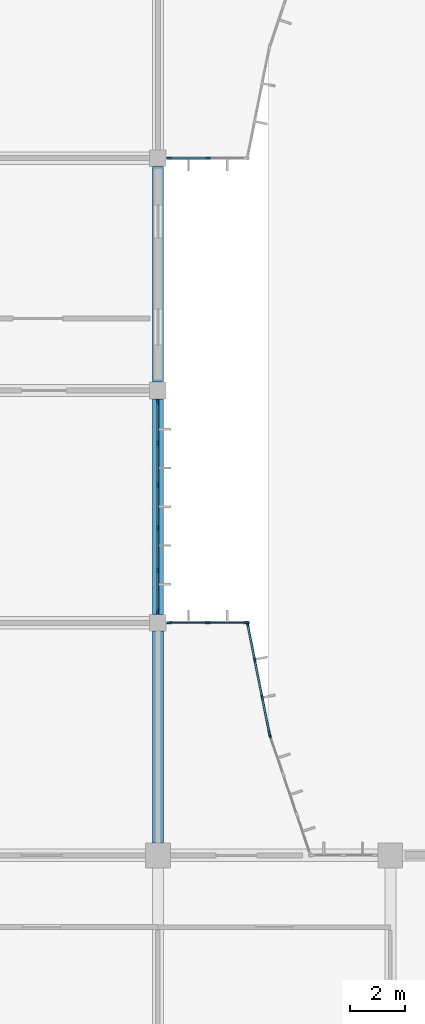
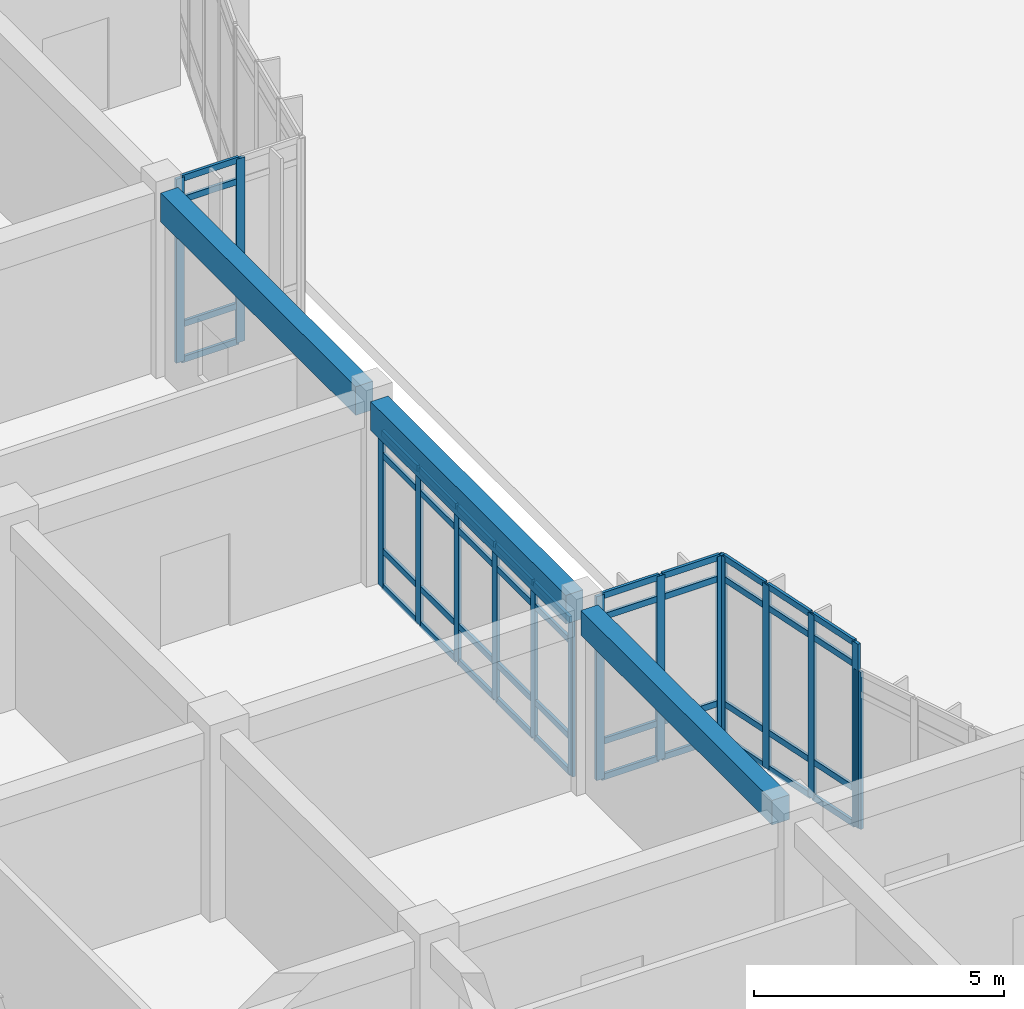
# One storey, part 52 of 138: 60 members, 3 beams, 5 elements without a shape of their own.
"""IFC4 building model written with IfcOpenShell, lengths in metres."""

from ifc_helpers import new_model, si_unit, direction, frame, origin, origin_2d, place, context, subcontext, project, spatial, rectangle, extrude, material, layer, layer_set, material_profile, profile_set, type_object, element, aggregate, save


model = new_model("IFC4")

# Units and contexts
model_context = context("Model", 3, precision=1e-05, world=origin(), true_north=direction((0.0, 1.0)))
body_context = subcontext(model_context, "Body", "Model", "MODEL_VIEW")
ifc_project = project(units=[si_unit("LENGTHUNIT", "METRE"), si_unit("AREAUNIT", "SQUARE_METRE"), si_unit("VOLUMEUNIT", "CUBIC_METRE"), si_unit("PLANEANGLEUNIT", "RADIAN"), si_unit("MASSUNIT", "GRAM", prefix="KILO")], contexts=[model_context])

# Site, building, storey
site_placement = place(None, origin())
site = spatial("IfcSite", under=ifc_project, at=site_placement, CompositionType="ELEMENT")
building_placement = place(site_placement, origin())
building = spatial("IfcBuilding", under=site, at=building_placement, Name="Bramfleet General Hospital", CompositionType="ELEMENT")
storey_placement = place(building_placement, origin())
storey = spatial("IfcBuildingStorey", under=building, at=storey_placement, Name="L00", CompositionType="ELEMENT", Elevation=0.0)

# Beams
ifc_material_1 = material(Name="Concrete C35/45", Category="concrete")
ifc_material_profile_1 = material_profile(ifc_material_1, rectangle(XDim=0.39990234375, YDim=0.60009765625, at=origin_2d()), Name="RC BM 600x400")
ifc_profile_set_1 = profile_set([ifc_material_profile_1], Name="Concrete C35/45")
beam_type_1 = type_object("IfcBeamType", Name="BM-RC600", PredefinedType="BEAM", material=ifc_profile_set_1)
beam_placement = place(storey_placement, frame((126.0, 25.64990234375, 4.199951171875), z_axis=(0.0, 1.0, 0.0), x_axis=(-1.0, 0.0, 0.0)))
element("IfcBeam", 1, at=beam_placement, inside=storey, type_object=beam_type_1, Name="L00 Grid Beam Y 15-03", PredefinedType="BEAM", context=body_context, shape_type="SweptSolid", body=[
    extrude(rectangle(XDim=0.39990234375, YDim=0.60009765625, at=origin_2d()), origin(), (0.0, 0.0, 1.0), 7.650146484375),
])
ifc_material_profile_2 = material_profile(ifc_material_1, rectangle(XDim=0.39990234375, YDim=0.699951171875, at=origin_2d()), Name="RC SP 700x400")
ifc_profile_set_2 = profile_set([ifc_material_profile_2], Name="Concrete C35/45")
beam_type_2 = type_object("IfcBeamType", Name="BM-SP700", PredefinedType="SPANDREL", material=ifc_profile_set_2)
for number, where, z_axis, x_axis, name in (
    (2, (126.0, 33.89990234375, 4.14990234375), (0.0, 1.0, 0.0), (-1.0, 0.0, 0.0), "L00 Grid Beam Y 15-04"),
    (3, (126.0, 42.300048828125, 4.14990234375), (0.0, 1.0, 0.0), (-1.0, 0.0, 0.0), "L00 Grid Beam Y 15-05"),
):
    element("IfcBeam", number, at=place(storey_placement, frame(where, z_axis=z_axis, x_axis=x_axis)), inside=storey, type_object=beam_type_2, Name=name, PredefinedType="SPANDREL", context=body_context, shape_type="SweptSolid", body=[
        extrude(rectangle(XDim=0.39990234375, YDim=0.699951171875, at=origin_2d()), origin(), (0.0, 0.0, 1.0), 7.800048828125),
    ])

# Curtain wall, members
ifc_material_2 = material(Name="Anodised aluminium and low-E triple glazing", Category="aluminium")
ifc_layer_1 = layer(ifc_material_2, 0.179931640625, Name="CWT-CW-03")
ifc_layer_set_1 = layer_set([ifc_layer_1], Name="Anodised aluminium and low-E triple glazing")
curtain_wall_type_1 = type_object("IfcCurtainWallType", Name="CWT-CW-03", PredefinedType="USERDEFINED", material=ifc_layer_set_1)
curtain_wall_1_placement = place(storey_placement, origin())
curtain_wall_1 = element("IfcCurtainWall", 4, at=curtain_wall_1_placement, inside=storey, type_object=curtain_wall_type_1, Name="L00 Curtain Wall 21", ObjectType="Unitised curtain wall", PredefinedType="USERDEFINED")
ifc_material_3 = material(Name="Structural timber GL28h", Category="wood")
ifc_material_profile_3 = material_profile(ifc_material_3, rectangle(XDim=0.070068359375, YDim=0.18994140625, at=origin_2d()), Name="LARCH 190x70")
ifc_profile_set_3 = profile_set([ifc_material_profile_3], Name="Structural timber GL28h")
member_type_1 = type_object("IfcMemberType", Name="CWM-LARCH450", PredefinedType="MULLION", material=ifc_profile_set_3)
member_1_placement = place(storey_placement, frame((127.804931640625, 50.39990234375, 0.0), z_axis=(0.0, 0.0, 1.0), x_axis=(0.0, -1.0, 0.0)))
member_1 = element("IfcMember", 5, at=member_1_placement, type_object=member_type_1, Name="CW-03 mullion 2", PredefinedType="MULLION", context=body_context, shape_type="SweptSolid", body=[
    extrude(rectangle(XDim=0.070068359375, YDim=0.18994140625, at=origin_2d()), origin(), (0.0, 0.0, 1.0), 4.489990234375),
])
member_2_placement = place(storey_placement, frame((126.409912109375, 50.39990234375, 0.0), z_axis=(0.0, 0.0, 1.0), x_axis=(0.0, -1.0, 0.0)))
member_2 = element("IfcMember", 6, at=member_2_placement, type_object=member_type_1, Name="CW-03 mullion 3", PredefinedType="MULLION", context=body_context, shape_type="SweptSolid", body=[
    extrude(rectangle(XDim=0.070068359375, YDim=0.18994140625, at=origin_2d()), origin(), (0.0, 0.0, 1.0), 4.489990234375),
])

ifc_layer_2 = layer(ifc_material_2, 0.179931640625, Name="CWT-CW-04")
ifc_layer_set_2 = layer_set([ifc_layer_2], Name="Anodised aluminium and low-E triple glazing")
curtain_wall_type_2 = type_object("IfcCurtainWallType", Name="CWT-CW-04", PredefinedType="USERDEFINED", material=ifc_layer_set_2)
curtain_wall_2_placement = place(storey_placement, origin())
curtain_wall_2 = element("IfcCurtainWall", 7, at=curtain_wall_2_placement, inside=storey, type_object=curtain_wall_type_2, Name="L00 Curtain Wall 22", ObjectType="Unitised curtain wall", PredefinedType="USERDEFINED")
member_3_placement = place(storey_placement, frame((126.0, 41.590087890625, 0.0), z_axis=(0.0, 0.0, 1.0), x_axis=(1.0, 0.0, 0.0)))
member_3 = element("IfcMember", 8, at=member_3_placement, type_object=member_type_1, Name="CW-04 mullion 1", PredefinedType="MULLION", context=body_context, shape_type="SweptSolid", body=[
    extrude(rectangle(XDim=0.070068359375, YDim=0.18994140625, at=origin_2d()), origin(), (0.0, 0.0, 1.0), 3.7900390625),
])
member_4_placement = place(storey_placement, frame((126.0, 40.094970703125, 0.0), z_axis=(0.0, 0.0, 1.0), x_axis=(1.0, 0.0, 0.0)))
member_4 = element("IfcMember", 9, at=member_4_placement, type_object=member_type_1, Name="CW-04 mullion 2", PredefinedType="MULLION", context=body_context, shape_type="SweptSolid", body=[
    extrude(rectangle(XDim=0.070068359375, YDim=0.18994140625, at=origin_2d()), origin(), (0.0, 0.0, 1.0), 3.7900390625),
])
member_5_placement = place(storey_placement, frame((126.0, 38.56494140625, 0.0), z_axis=(0.0, 0.0, 1.0), x_axis=(1.0, 0.0, 0.0)))
member_5 = element("IfcMember", 10, at=member_5_placement, type_object=member_type_1, Name="CW-04 mullion 3", PredefinedType="MULLION", context=body_context, shape_type="SweptSolid", body=[
    extrude(rectangle(XDim=0.070068359375, YDim=0.18994140625, at=origin_2d()), origin(), (0.0, 0.0, 1.0), 3.7900390625),
])
member_6_placement = place(storey_placement, frame((126.0, 37.034912109375, 0.0), z_axis=(0.0, 0.0, 1.0), x_axis=(1.0, 0.0, 0.0)))
member_6 = element("IfcMember", 11, at=member_6_placement, type_object=member_type_1, Name="CW-04 mullion 4", PredefinedType="MULLION", context=body_context, shape_type="SweptSolid", body=[
    extrude(rectangle(XDim=0.070068359375, YDim=0.18994140625, at=origin_2d()), origin(), (0.0, 0.0, 1.0), 3.7900390625),
])
member_7_placement = place(storey_placement, frame((126.0, 35.5048828125, 0.0), z_axis=(0.0, 0.0, 1.0), x_axis=(1.0, 0.0, 0.0)))
member_7 = element("IfcMember", 12, at=member_7_placement, type_object=member_type_1, Name="CW-04 mullion 5", PredefinedType="MULLION", context=body_context, shape_type="SweptSolid", body=[
    extrude(rectangle(XDim=0.070068359375, YDim=0.18994140625, at=origin_2d()), origin(), (0.0, 0.0, 1.0), 3.7900390625),
])
member_8_placement = place(storey_placement, frame((126.0, 34.010009765625, 0.0), z_axis=(0.0, 0.0, 1.0), x_axis=(1.0, 0.0, 0.0)))
member_8 = element("IfcMember", 13, at=member_8_placement, type_object=member_type_1, Name="CW-04 mullion 6", PredefinedType="MULLION", context=body_context, shape_type="SweptSolid", body=[
    extrude(rectangle(XDim=0.070068359375, YDim=0.18994140625, at=origin_2d()), origin(), (0.0, 0.0, 1.0), 3.7900390625),
])

ifc_layer_3 = layer(ifc_material_2, 0.179931640625, Name="CWT-CW-05")
ifc_layer_set_3 = layer_set([ifc_layer_3], Name="Anodised aluminium and low-E triple glazing")
curtain_wall_type_3 = type_object("IfcCurtainWallType", Name="CWT-CW-05", PredefinedType="USERDEFINED", material=ifc_layer_set_3)
curtain_wall_3_placement = place(storey_placement, origin())
curtain_wall_3 = element("IfcCurtainWall", 14, at=curtain_wall_3_placement, inside=storey, type_object=curtain_wall_type_3, Name="L00 Curtain Wall 23", ObjectType="Unitised curtain wall", PredefinedType="USERDEFINED")
member_9_placement = place(storey_placement, frame((126.409912109375, 33.60009765625, 0.0), z_axis=(0.0, 0.0, 1.0), x_axis=(0.0, 1.0, 0.0)))
member_9 = element("IfcMember", 15, at=member_9_placement, type_object=member_type_1, Name="CW-05 mullion 1", PredefinedType="MULLION", context=body_context, shape_type="SweptSolid", body=[
    extrude(rectangle(XDim=0.070068359375, YDim=0.18994140625, at=origin_2d()), origin(), (0.0, 0.0, 1.0), 4.489990234375),
])
member_10_placement = place(storey_placement, frame((127.804931640625, 33.60009765625, 0.0), z_axis=(0.0, 0.0, 1.0), x_axis=(0.0, 1.0, 0.0)))
member_10 = element("IfcMember", 16, at=member_10_placement, type_object=member_type_1, Name="CW-05 mullion 2", PredefinedType="MULLION", context=body_context, shape_type="SweptSolid", body=[
    extrude(rectangle(XDim=0.070068359375, YDim=0.18994140625, at=origin_2d()), origin(), (0.0, 0.0, 1.0), 4.489990234375),
])
member_11_placement = place(storey_placement, frame((129.199951171875, 33.60009765625, 0.0), z_axis=(0.0, 0.0, 1.0), x_axis=(0.0, 1.0, 0.0)))
member_11 = element("IfcMember", 17, at=member_11_placement, type_object=member_type_1, Name="CW-05 mullion 3", PredefinedType="MULLION", context=body_context, shape_type="SweptSolid", body=[
    extrude(rectangle(XDim=0.070068359375, YDim=0.18994140625, at=origin_2d()), origin(), (0.0, 0.0, 1.0), 4.489990234375),
])

ifc_layer_4 = layer(ifc_material_2, 0.179931640625, Name="CWT-CW-06")
ifc_layer_set_4 = layer_set([ifc_layer_4], Name="Anodised aluminium and low-E triple glazing")
curtain_wall_type_4 = type_object("IfcCurtainWallType", Name="CWT-CW-06", PredefinedType="USERDEFINED", material=ifc_layer_set_4)
curtain_wall_4_placement = place(storey_placement, origin())
curtain_wall_4 = element("IfcCurtainWall", 18, at=curtain_wall_4_placement, inside=storey, type_object=curtain_wall_type_4, Name="L00 Curtain Wall 24", ObjectType="Unitised curtain wall", PredefinedType="USERDEFINED")
member_12_placement = place(storey_placement, frame((129.241943359375, 33.565673828125, 0.0), z_axis=(0.0, 0.0, 1.0), x_axis=(0.980749087161, 0.195272189606, 0.0)))
member_12 = element("IfcMember", 19, at=member_12_placement, type_object=member_type_1, Name="CW-06 mullion 1", PredefinedType="MULLION", context=body_context, shape_type="SweptSolid", body=[
    extrude(rectangle(XDim=0.070068359375, YDim=0.18994140625, at=origin_2d()), origin(), (0.0, 0.0, 1.0), 4.489990234375),
])
member_13_placement = place(storey_placement, frame((129.501953125, 32.259033203125, 0.0), z_axis=(0.0, 0.0, 1.0), x_axis=(0.980749087161, 0.195272189606, 0.0)))
member_13 = element("IfcMember", 20, at=member_13_placement, type_object=member_type_1, Name="CW-06 mullion 2", PredefinedType="MULLION", context=body_context, shape_type="SweptSolid", body=[
    extrude(rectangle(XDim=0.070068359375, YDim=0.18994140625, at=origin_2d()), origin(), (0.0, 0.0, 1.0), 4.489990234375),
])
member_14_placement = place(storey_placement, frame((129.76904296875, 30.91796875, 0.0), z_axis=(0.0, 0.0, 1.0), x_axis=(0.980749087161, 0.195272189606, 0.0)))
member_14 = element("IfcMember", 21, at=member_14_placement, type_object=member_type_1, Name="CW-06 mullion 3", PredefinedType="MULLION", context=body_context, shape_type="SweptSolid", body=[
    extrude(rectangle(XDim=0.070068359375, YDim=0.18994140625, at=origin_2d()), origin(), (0.0, 0.0, 1.0), 4.489990234375),
])
member_15_placement = place(storey_placement, frame((130.029052734375, 29.611328125, 0.0), z_axis=(0.0, 0.0, 1.0), x_axis=(0.980749087161, 0.195272189606, 0.0)))
member_15 = element("IfcMember", 22, at=member_15_placement, type_object=member_type_1, Name="CW-06 mullion 4", PredefinedType="MULLION", context=body_context, shape_type="SweptSolid", body=[
    extrude(rectangle(XDim=0.070068359375, YDim=0.18994140625, at=origin_2d()), origin(), (0.0, 0.0, 1.0), 4.489990234375),
])

# Curtain wall, member
ifc_layer_5 = layer(ifc_material_2, 0.179931640625, Name="CWT-CW-07")
ifc_layer_set_5 = layer_set([ifc_layer_5], Name="Anodised aluminium and low-E triple glazing")
curtain_wall_type_5 = type_object("IfcCurtainWallType", Name="CWT-CW-07", PredefinedType="USERDEFINED", material=ifc_layer_set_5)
curtain_wall_5_placement = place(storey_placement, origin())
curtain_wall_5 = element("IfcCurtainWall", 23, at=curtain_wall_5_placement, inside=storey, type_object=curtain_wall_type_5, Name="L00 Curtain Wall 25", ObjectType="Unitised curtain wall", PredefinedType="USERDEFINED")
member_16_placement = place(storey_placement, frame((130.04736328125, 29.5439453125, 0.0), z_axis=(0.0, 0.0, 1.0), x_axis=(0.94698222676, 0.321285950829, 0.0)))
member_16 = element("IfcMember", 24, at=member_16_placement, type_object=member_type_1, Name="CW-07 mullion 1", PredefinedType="MULLION", context=body_context, shape_type="SweptSolid", body=[
    extrude(rectangle(XDim=0.070068359375, YDim=0.18994140625, at=origin_2d()), origin(), (0.0, 0.0, 1.0), 3.840087890625),
])
aggregate(curtain_wall_5, [member_16])

# Member
ifc_material_profile_4 = material_profile(ifc_material_3, rectangle(XDim=0.06494140625, YDim=0.14990234375, at=origin_2d()), Name="LARCH 150x65")
ifc_profile_set_4 = profile_set([ifc_material_profile_4], Name="Structural timber GL28h")
member_type_2 = type_object("IfcMemberType", Name="CWT-LARCH220", PredefinedType="USERDEFINED", material=ifc_profile_set_4)
member_17_placement = place(storey_placement, frame((127.77001953125, 50.39990234375, 0.032470703125), z_axis=(-1.0, 0.0, 0.0), x_axis=(0.0, -1.0, 0.0)))
member_17 = element("IfcMember", 25, at=member_17_placement, type_object=member_type_2, Name="CW-03 transom 2.1", ObjectType="TRANSOM", PredefinedType="USERDEFINED", context=body_context, shape_type="SweptSolid", body=[
    extrude(rectangle(XDim=0.06494140625, YDim=0.14990234375, at=origin_2d()), origin(), (0.0, 0.0, 1.0), 1.324951171875),
])

member_18_placement = place(storey_placement, frame((127.77001953125, 50.39990234375, 0.89990234375), z_axis=(-1.0, 0.0, 0.0), x_axis=(0.0, -1.0, 0.0)))
member_18 = element("IfcMember", 26, at=member_18_placement, type_object=member_type_2, Name="CW-03 transom 2.2", ObjectType="TRANSOM", PredefinedType="USERDEFINED", context=body_context, shape_type="SweptSolid", body=[
    extrude(rectangle(XDim=0.06494140625, YDim=0.14990234375, at=origin_2d()), origin(), (0.0, 0.0, 1.0), 1.324951171875),
])

member_19_placement = place(storey_placement, frame((127.77001953125, 50.39990234375, 3.93994140625), z_axis=(-1.0, 0.0, 0.0), x_axis=(0.0, -1.0, 0.0)))
member_19 = element("IfcMember", 27, at=member_19_placement, type_object=member_type_2, Name="CW-03 transom 2.3", ObjectType="TRANSOM", PredefinedType="USERDEFINED", context=body_context, shape_type="SweptSolid", body=[
    extrude(rectangle(XDim=0.06494140625, YDim=0.14990234375, at=origin_2d()), origin(), (0.0, 0.0, 1.0), 1.324951171875),
])

member_20_placement = place(storey_placement, frame((127.77001953125, 50.39990234375, 4.45751953125), z_axis=(-1.0, 0.0, 0.0), x_axis=(0.0, -1.0, 0.0)))
member_20 = element("IfcMember", 28, at=member_20_placement, type_object=member_type_2, Name="CW-03 transom 2.4", ObjectType="TRANSOM", PredefinedType="USERDEFINED", context=body_context, shape_type="SweptSolid", body=[
    extrude(rectangle(XDim=0.06494140625, YDim=0.14990234375, at=origin_2d()), origin(), (0.0, 0.0, 1.0), 1.324951171875),
])

aggregate(curtain_wall_1, [member_1, member_2, member_17, member_18, member_19, member_20])

member_21_placement = place(storey_placement, frame((126.0, 41.554931640625, 0.032470703125), z_axis=(0.0, -1.0, 0.0), x_axis=(1.0, 0.0, 0.0)))
member_21 = element("IfcMember", 29, at=member_21_placement, type_object=member_type_2, Name="CW-04 transom 1.1", ObjectType="TRANSOM", PredefinedType="USERDEFINED", context=body_context, shape_type="SweptSolid", body=[
    extrude(rectangle(XDim=0.06494140625, YDim=0.14990234375, at=origin_2d()), origin(), (0.0, 0.0, 1.0), 1.425048828125),
])

member_22_placement = place(storey_placement, frame((126.0, 41.554931640625, 0.89990234375), z_axis=(0.0, -1.0, 0.0), x_axis=(1.0, 0.0, 0.0)))
member_22 = element("IfcMember", 30, at=member_22_placement, type_object=member_type_2, Name="CW-04 transom 1.2", ObjectType="TRANSOM", PredefinedType="USERDEFINED", context=body_context, shape_type="SweptSolid", body=[
    extrude(rectangle(XDim=0.06494140625, YDim=0.14990234375, at=origin_2d()), origin(), (0.0, 0.0, 1.0), 1.425048828125),
])

member_23_placement = place(storey_placement, frame((126.0, 41.554931640625, 3.239990234375), z_axis=(0.0, -1.0, 0.0), x_axis=(1.0, 0.0, 0.0)))
member_23 = element("IfcMember", 31, at=member_23_placement, type_object=member_type_2, Name="CW-04 transom 1.3", ObjectType="TRANSOM", PredefinedType="USERDEFINED", context=body_context, shape_type="SweptSolid", body=[
    extrude(rectangle(XDim=0.06494140625, YDim=0.14990234375, at=origin_2d()), origin(), (0.0, 0.0, 1.0), 1.425048828125),
])

member_24_placement = place(storey_placement, frame((126.0, 41.554931640625, 3.757568359375), z_axis=(0.0, -1.0, 0.0), x_axis=(1.0, 0.0, 0.0)))
member_24 = element("IfcMember", 32, at=member_24_placement, type_object=member_type_2, Name="CW-04 transom 1.4", ObjectType="TRANSOM", PredefinedType="USERDEFINED", context=body_context, shape_type="SweptSolid", body=[
    extrude(rectangle(XDim=0.06494140625, YDim=0.14990234375, at=origin_2d()), origin(), (0.0, 0.0, 1.0), 1.425048828125),
])

member_25_placement = place(storey_placement, frame((126.0, 40.06005859375, 0.032470703125), z_axis=(0.0, -1.0, 0.0), x_axis=(1.0, 0.0, 0.0)))
member_25 = element("IfcMember", 33, at=member_25_placement, type_object=member_type_2, Name="CW-04 transom 2.1", ObjectType="TRANSOM", PredefinedType="USERDEFINED", context=body_context, shape_type="SweptSolid", body=[
    extrude(rectangle(XDim=0.06494140625, YDim=0.14990234375, at=origin_2d()), origin(), (0.0, 0.0, 1.0), 1.4599609375),
])

member_26_placement = place(storey_placement, frame((126.0, 40.06005859375, 0.89990234375), z_axis=(0.0, -1.0, 0.0), x_axis=(1.0, 0.0, 0.0)))
member_26 = element("IfcMember", 34, at=member_26_placement, type_object=member_type_2, Name="CW-04 transom 2.2", ObjectType="TRANSOM", PredefinedType="USERDEFINED", context=body_context, shape_type="SweptSolid", body=[
    extrude(rectangle(XDim=0.06494140625, YDim=0.14990234375, at=origin_2d()), origin(), (0.0, 0.0, 1.0), 1.4599609375),
])

member_27_placement = place(storey_placement, frame((126.0, 40.06005859375, 3.239990234375), z_axis=(0.0, -1.0, 0.0), x_axis=(1.0, 0.0, 0.0)))
member_27 = element("IfcMember", 35, at=member_27_placement, type_object=member_type_2, Name="CW-04 transom 2.3", ObjectType="TRANSOM", PredefinedType="USERDEFINED", context=body_context, shape_type="SweptSolid", body=[
    extrude(rectangle(XDim=0.06494140625, YDim=0.14990234375, at=origin_2d()), origin(), (0.0, 0.0, 1.0), 1.4599609375),
])

member_28_placement = place(storey_placement, frame((126.0, 40.06005859375, 3.757568359375), z_axis=(0.0, -1.0, 0.0), x_axis=(1.0, 0.0, 0.0)))
member_28 = element("IfcMember", 36, at=member_28_placement, type_object=member_type_2, Name="CW-04 transom 2.4", ObjectType="TRANSOM", PredefinedType="USERDEFINED", context=body_context, shape_type="SweptSolid", body=[
    extrude(rectangle(XDim=0.06494140625, YDim=0.14990234375, at=origin_2d()), origin(), (0.0, 0.0, 1.0), 1.4599609375),
])

member_29_placement = place(storey_placement, frame((126.0, 38.530029296875, 0.032470703125), z_axis=(0.0, -1.0, 0.0), x_axis=(1.0, 0.0, 0.0)))
member_29 = element("IfcMember", 37, at=member_29_placement, type_object=member_type_2, Name="CW-04 transom 3.1", ObjectType="TRANSOM", PredefinedType="USERDEFINED", context=body_context, shape_type="SweptSolid", body=[
    extrude(rectangle(XDim=0.06494140625, YDim=0.14990234375, at=origin_2d()), origin(), (0.0, 0.0, 1.0), 1.4599609375),
])

member_30_placement = place(storey_placement, frame((126.0, 38.530029296875, 0.89990234375), z_axis=(0.0, -1.0, 0.0), x_axis=(1.0, 0.0, 0.0)))
member_30 = element("IfcMember", 38, at=member_30_placement, type_object=member_type_2, Name="CW-04 transom 3.2", ObjectType="TRANSOM", PredefinedType="USERDEFINED", context=body_context, shape_type="SweptSolid", body=[
    extrude(rectangle(XDim=0.06494140625, YDim=0.14990234375, at=origin_2d()), origin(), (0.0, 0.0, 1.0), 1.4599609375),
])

member_31_placement = place(storey_placement, frame((126.0, 38.530029296875, 3.239990234375), z_axis=(0.0, -1.0, 0.0), x_axis=(1.0, 0.0, 0.0)))
member_31 = element("IfcMember", 39, at=member_31_placement, type_object=member_type_2, Name="CW-04 transom 3.3", ObjectType="TRANSOM", PredefinedType="USERDEFINED", context=body_context, shape_type="SweptSolid", body=[
    extrude(rectangle(XDim=0.06494140625, YDim=0.14990234375, at=origin_2d()), origin(), (0.0, 0.0, 1.0), 1.4599609375),
])

member_32_placement = place(storey_placement, frame((126.0, 38.530029296875, 3.757568359375), z_axis=(0.0, -1.0, 0.0), x_axis=(1.0, 0.0, 0.0)))
member_32 = element("IfcMember", 40, at=member_32_placement, type_object=member_type_2, Name="CW-04 transom 3.4", ObjectType="TRANSOM", PredefinedType="USERDEFINED", context=body_context, shape_type="SweptSolid", body=[
    extrude(rectangle(XDim=0.06494140625, YDim=0.14990234375, at=origin_2d()), origin(), (0.0, 0.0, 1.0), 1.4599609375),
])

member_33_placement = place(storey_placement, frame((126.0, 37.0, 0.032470703125), z_axis=(0.0, -1.0, 0.0), x_axis=(1.0, 0.0, 0.0)))
member_33 = element("IfcMember", 41, at=member_33_placement, type_object=member_type_2, Name="CW-04 transom 4.1", ObjectType="TRANSOM", PredefinedType="USERDEFINED", context=body_context, shape_type="SweptSolid", body=[
    extrude(rectangle(XDim=0.06494140625, YDim=0.14990234375, at=origin_2d()), origin(), (0.0, 0.0, 1.0), 1.4599609375),
])

member_34_placement = place(storey_placement, frame((126.0, 37.0, 0.89990234375), z_axis=(0.0, -1.0, 0.0), x_axis=(1.0, 0.0, 0.0)))
member_34 = element("IfcMember", 42, at=member_34_placement, type_object=member_type_2, Name="CW-04 transom 4.2", ObjectType="TRANSOM", PredefinedType="USERDEFINED", context=body_context, shape_type="SweptSolid", body=[
    extrude(rectangle(XDim=0.06494140625, YDim=0.14990234375, at=origin_2d()), origin(), (0.0, 0.0, 1.0), 1.4599609375),
])

member_35_placement = place(storey_placement, frame((126.0, 37.0, 3.239990234375), z_axis=(0.0, -1.0, 0.0), x_axis=(1.0, 0.0, 0.0)))
member_35 = element("IfcMember", 43, at=member_35_placement, type_object=member_type_2, Name="CW-04 transom 4.3", ObjectType="TRANSOM", PredefinedType="USERDEFINED", context=body_context, shape_type="SweptSolid", body=[
    extrude(rectangle(XDim=0.06494140625, YDim=0.14990234375, at=origin_2d()), origin(), (0.0, 0.0, 1.0), 1.4599609375),
])

member_36_placement = place(storey_placement, frame((126.0, 37.0, 3.757568359375), z_axis=(0.0, -1.0, 0.0), x_axis=(1.0, 0.0, 0.0)))
member_36 = element("IfcMember", 44, at=member_36_placement, type_object=member_type_2, Name="CW-04 transom 4.4", ObjectType="TRANSOM", PredefinedType="USERDEFINED", context=body_context, shape_type="SweptSolid", body=[
    extrude(rectangle(XDim=0.06494140625, YDim=0.14990234375, at=origin_2d()), origin(), (0.0, 0.0, 1.0), 1.4599609375),
])

member_37_placement = place(storey_placement, frame((126.0, 35.469970703125, 0.032470703125), z_axis=(0.0, -1.0, 0.0), x_axis=(1.0, 0.0, 0.0)))
member_37 = element("IfcMember", 45, at=member_37_placement, type_object=member_type_2, Name="CW-04 transom 5.1", ObjectType="TRANSOM", PredefinedType="USERDEFINED", context=body_context, shape_type="SweptSolid", body=[
    extrude(rectangle(XDim=0.06494140625, YDim=0.14990234375, at=origin_2d()), origin(), (0.0, 0.0, 1.0), 1.425048828125),
])

member_38_placement = place(storey_placement, frame((126.0, 35.469970703125, 0.89990234375), z_axis=(0.0, -1.0, 0.0), x_axis=(1.0, 0.0, 0.0)))
member_38 = element("IfcMember", 46, at=member_38_placement, type_object=member_type_2, Name="CW-04 transom 5.2", ObjectType="TRANSOM", PredefinedType="USERDEFINED", context=body_context, shape_type="SweptSolid", body=[
    extrude(rectangle(XDim=0.06494140625, YDim=0.14990234375, at=origin_2d()), origin(), (0.0, 0.0, 1.0), 1.425048828125),
])

member_39_placement = place(storey_placement, frame((126.0, 35.469970703125, 3.239990234375), z_axis=(0.0, -1.0, 0.0), x_axis=(1.0, 0.0, 0.0)))
member_39 = element("IfcMember", 47, at=member_39_placement, type_object=member_type_2, Name="CW-04 transom 5.3", ObjectType="TRANSOM", PredefinedType="USERDEFINED", context=body_context, shape_type="SweptSolid", body=[
    extrude(rectangle(XDim=0.06494140625, YDim=0.14990234375, at=origin_2d()), origin(), (0.0, 0.0, 1.0), 1.425048828125),
])

member_40_placement = place(storey_placement, frame((126.0, 35.469970703125, 3.757568359375), z_axis=(0.0, -1.0, 0.0), x_axis=(1.0, 0.0, 0.0)))
member_40 = element("IfcMember", 48, at=member_40_placement, type_object=member_type_2, Name="CW-04 transom 5.4", ObjectType="TRANSOM", PredefinedType="USERDEFINED", context=body_context, shape_type="SweptSolid", body=[
    extrude(rectangle(XDim=0.06494140625, YDim=0.14990234375, at=origin_2d()), origin(), (0.0, 0.0, 1.0), 1.425048828125),
])

aggregate(curtain_wall_2, [member_3, member_4, member_5, member_6, member_7, member_8, member_21, member_22, member_23, member_24, member_25, member_26, member_27, member_28, member_29, member_30, member_31, member_32, member_33, member_34, member_35, member_36, member_37, member_38, member_39, member_40])

member_41_placement = place(storey_placement, frame((126.445068359375, 33.60009765625, 0.032470703125), z_axis=(1.0, 0.0, 0.0), x_axis=(0.0, 1.0, 0.0)))
member_41 = element("IfcMember", 49, at=member_41_placement, type_object=member_type_2, Name="CW-05 transom 1.1", ObjectType="TRANSOM", PredefinedType="USERDEFINED", context=body_context, shape_type="SweptSolid", body=[
    extrude(rectangle(XDim=0.06494140625, YDim=0.14990234375, at=origin_2d()), origin(), (0.0, 0.0, 1.0), 1.324951171875),
])

member_42_placement = place(storey_placement, frame((126.445068359375, 33.60009765625, 0.89990234375), z_axis=(1.0, 0.0, 0.0), x_axis=(0.0, 1.0, 0.0)))
member_42 = element("IfcMember", 50, at=member_42_placement, type_object=member_type_2, Name="CW-05 transom 1.2", ObjectType="TRANSOM", PredefinedType="USERDEFINED", context=body_context, shape_type="SweptSolid", body=[
    extrude(rectangle(XDim=0.06494140625, YDim=0.14990234375, at=origin_2d()), origin(), (0.0, 0.0, 1.0), 1.324951171875),
])

member_43_placement = place(storey_placement, frame((126.445068359375, 33.60009765625, 3.93994140625), z_axis=(1.0, 0.0, 0.0), x_axis=(0.0, 1.0, 0.0)))
member_43 = element("IfcMember", 51, at=member_43_placement, type_object=member_type_2, Name="CW-05 transom 1.3", ObjectType="TRANSOM", PredefinedType="USERDEFINED", context=body_context, shape_type="SweptSolid", body=[
    extrude(rectangle(XDim=0.06494140625, YDim=0.14990234375, at=origin_2d()), origin(), (0.0, 0.0, 1.0), 1.324951171875),
])

member_44_placement = place(storey_placement, frame((126.445068359375, 33.60009765625, 4.45751953125), z_axis=(1.0, 0.0, 0.0), x_axis=(0.0, 1.0, 0.0)))
member_44 = element("IfcMember", 52, at=member_44_placement, type_object=member_type_2, Name="CW-05 transom 1.4", ObjectType="TRANSOM", PredefinedType="USERDEFINED", context=body_context, shape_type="SweptSolid", body=[
    extrude(rectangle(XDim=0.06494140625, YDim=0.14990234375, at=origin_2d()), origin(), (0.0, 0.0, 1.0), 1.324951171875),
])

member_45_placement = place(storey_placement, frame((127.840087890625, 33.60009765625, 0.032470703125), z_axis=(1.0, 0.0, 0.0), x_axis=(0.0, 1.0, 0.0)))
member_45 = element("IfcMember", 53, at=member_45_placement, type_object=member_type_2, Name="CW-05 transom 2.1", ObjectType="TRANSOM", PredefinedType="USERDEFINED", context=body_context, shape_type="SweptSolid", body=[
    extrude(rectangle(XDim=0.06494140625, YDim=0.14990234375, at=origin_2d()), origin(), (0.0, 0.0, 1.0), 1.324951171875),
])

member_46_placement = place(storey_placement, frame((127.840087890625, 33.60009765625, 0.89990234375), z_axis=(1.0, 0.0, 0.0), x_axis=(0.0, 1.0, 0.0)))
member_46 = element("IfcMember", 54, at=member_46_placement, type_object=member_type_2, Name="CW-05 transom 2.2", ObjectType="TRANSOM", PredefinedType="USERDEFINED", context=body_context, shape_type="SweptSolid", body=[
    extrude(rectangle(XDim=0.06494140625, YDim=0.14990234375, at=origin_2d()), origin(), (0.0, 0.0, 1.0), 1.324951171875),
])

member_47_placement = place(storey_placement, frame((127.840087890625, 33.60009765625, 3.93994140625), z_axis=(1.0, 0.0, 0.0), x_axis=(0.0, 1.0, 0.0)))
member_47 = element("IfcMember", 55, at=member_47_placement, type_object=member_type_2, Name="CW-05 transom 2.3", ObjectType="TRANSOM", PredefinedType="USERDEFINED", context=body_context, shape_type="SweptSolid", body=[
    extrude(rectangle(XDim=0.06494140625, YDim=0.14990234375, at=origin_2d()), origin(), (0.0, 0.0, 1.0), 1.324951171875),
])

member_48_placement = place(storey_placement, frame((127.840087890625, 33.60009765625, 4.45751953125), z_axis=(1.0, 0.0, 0.0), x_axis=(0.0, 1.0, 0.0)))
member_48 = element("IfcMember", 56, at=member_48_placement, type_object=member_type_2, Name="CW-05 transom 2.4", ObjectType="TRANSOM", PredefinedType="USERDEFINED", context=body_context, shape_type="SweptSolid", body=[
    extrude(rectangle(XDim=0.06494140625, YDim=0.14990234375, at=origin_2d()), origin(), (0.0, 0.0, 1.0), 1.324951171875),
])

aggregate(curtain_wall_3, [member_9, member_10, member_11, member_41, member_42, member_43, member_44, member_45, member_46, member_47, member_48])

member_49_placement = place(storey_placement, frame((129.248779296875, 33.53125, 0.032470703125), z_axis=(0.195148998153, -0.980773607169, 0.0), x_axis=(0.980773607169, 0.195148998153, 0.0)))
member_49 = element("IfcMember", 57, at=member_49_placement, type_object=member_type_2, Name="CW-06 transom 1.1", ObjectType="TRANSOM", PredefinedType="USERDEFINED", context=body_context, shape_type="SweptSolid", body=[
    extrude(rectangle(XDim=0.06494140625, YDim=0.14990234375, at=origin_2d()), origin(), (0.0, 0.0, 1.0), 1.26220703125),
])

member_50_placement = place(storey_placement, frame((129.248779296875, 33.53125, 0.89990234375), z_axis=(0.195148998153, -0.980773607169, 0.0), x_axis=(0.980773607169, 0.195148998153, 0.0)))
member_50 = element("IfcMember", 58, at=member_50_placement, type_object=member_type_2, Name="CW-06 transom 1.2", ObjectType="TRANSOM", PredefinedType="USERDEFINED", context=body_context, shape_type="SweptSolid", body=[
    extrude(rectangle(XDim=0.06494140625, YDim=0.14990234375, at=origin_2d()), origin(), (0.0, 0.0, 1.0), 1.26220703125),
])

member_51_placement = place(storey_placement, frame((129.248779296875, 33.53125, 3.93994140625), z_axis=(0.195148998153, -0.980773607169, 0.0), x_axis=(0.980773607169, 0.195148998153, 0.0)))
member_51 = element("IfcMember", 59, at=member_51_placement, type_object=member_type_2, Name="CW-06 transom 1.3", ObjectType="TRANSOM", PredefinedType="USERDEFINED", context=body_context, shape_type="SweptSolid", body=[
    extrude(rectangle(XDim=0.06494140625, YDim=0.14990234375, at=origin_2d()), origin(), (0.0, 0.0, 1.0), 1.26220703125),
])

member_52_placement = place(storey_placement, frame((129.248779296875, 33.53125, 4.45751953125), z_axis=(0.195148998153, -0.980773607169, 0.0), x_axis=(0.980773607169, 0.195148998153, 0.0)))
member_52 = element("IfcMember", 60, at=member_52_placement, type_object=member_type_2, Name="CW-06 transom 1.4", ObjectType="TRANSOM", PredefinedType="USERDEFINED", context=body_context, shape_type="SweptSolid", body=[
    extrude(rectangle(XDim=0.06494140625, YDim=0.14990234375, at=origin_2d()), origin(), (0.0, 0.0, 1.0), 1.26220703125),
])

member_53_placement = place(storey_placement, frame((129.5087890625, 32.224609375, 0.032470703125), z_axis=(0.195356020565, -0.98073239226, 0.0), x_axis=(0.98073239226, 0.195356020565, 0.0)))
member_53 = element("IfcMember", 61, at=member_53_placement, type_object=member_type_2, Name="CW-06 transom 2.1", ObjectType="TRANSOM", PredefinedType="USERDEFINED", context=body_context, shape_type="SweptSolid", body=[
    extrude(rectangle(XDim=0.06494140625, YDim=0.14990234375, at=origin_2d()), origin(), (0.0, 0.0, 1.0), 1.297119140625),
])

member_54_placement = place(storey_placement, frame((129.5087890625, 32.224609375, 0.89990234375), z_axis=(0.195356020565, -0.98073239226, 0.0), x_axis=(0.98073239226, 0.195356020565, 0.0)))
member_54 = element("IfcMember", 62, at=member_54_placement, type_object=member_type_2, Name="CW-06 transom 2.2", ObjectType="TRANSOM", PredefinedType="USERDEFINED", context=body_context, shape_type="SweptSolid", body=[
    extrude(rectangle(XDim=0.06494140625, YDim=0.14990234375, at=origin_2d()), origin(), (0.0, 0.0, 1.0), 1.297119140625),
])

member_55_placement = place(storey_placement, frame((129.5087890625, 32.224609375, 3.93994140625), z_axis=(0.195356020565, -0.98073239226, 0.0), x_axis=(0.98073239226, 0.195356020565, 0.0)))
member_55 = element("IfcMember", 63, at=member_55_placement, type_object=member_type_2, Name="CW-06 transom 2.3", ObjectType="TRANSOM", PredefinedType="USERDEFINED", context=body_context, shape_type="SweptSolid", body=[
    extrude(rectangle(XDim=0.06494140625, YDim=0.14990234375, at=origin_2d()), origin(), (0.0, 0.0, 1.0), 1.297119140625),
])

member_56_placement = place(storey_placement, frame((129.5087890625, 32.224609375, 4.45751953125), z_axis=(0.195356020565, -0.98073239226, 0.0), x_axis=(0.98073239226, 0.195356020565, 0.0)))
member_56 = element("IfcMember", 64, at=member_56_placement, type_object=member_type_2, Name="CW-06 transom 2.4", ObjectType="TRANSOM", PredefinedType="USERDEFINED", context=body_context, shape_type="SweptSolid", body=[
    extrude(rectangle(XDim=0.06494140625, YDim=0.14990234375, at=origin_2d()), origin(), (0.0, 0.0, 1.0), 1.297119140625),
])

member_57_placement = place(storey_placement, frame((129.77587890625, 30.8837890625, 0.032470703125), z_axis=(0.195148998153, -0.980773607169, 0.0), x_axis=(0.980773607169, 0.195148998153, 0.0)))
member_57 = element("IfcMember", 65, at=member_57_placement, type_object=member_type_2, Name="CW-06 transom 3.1", ObjectType="TRANSOM", PredefinedType="USERDEFINED", context=body_context, shape_type="SweptSolid", body=[
    extrude(rectangle(XDim=0.06494140625, YDim=0.14990234375, at=origin_2d()), origin(), (0.0, 0.0, 1.0), 1.26220703125),
])

member_58_placement = place(storey_placement, frame((129.77587890625, 30.8837890625, 0.89990234375), z_axis=(0.195148998153, -0.980773607169, 0.0), x_axis=(0.980773607169, 0.195148998153, 0.0)))
member_58 = element("IfcMember", 66, at=member_58_placement, type_object=member_type_2, Name="CW-06 transom 3.2", ObjectType="TRANSOM", PredefinedType="USERDEFINED", context=body_context, shape_type="SweptSolid", body=[
    extrude(rectangle(XDim=0.06494140625, YDim=0.14990234375, at=origin_2d()), origin(), (0.0, 0.0, 1.0), 1.26220703125),
])

member_59_placement = place(storey_placement, frame((129.77587890625, 30.8837890625, 3.93994140625), z_axis=(0.195148998153, -0.980773607169, 0.0), x_axis=(0.980773607169, 0.195148998153, 0.0)))
member_59 = element("IfcMember", 67, at=member_59_placement, type_object=member_type_2, Name="CW-06 transom 3.3", ObjectType="TRANSOM", PredefinedType="USERDEFINED", context=body_context, shape_type="SweptSolid", body=[
    extrude(rectangle(XDim=0.06494140625, YDim=0.14990234375, at=origin_2d()), origin(), (0.0, 0.0, 1.0), 1.26220703125),
])

member_60_placement = place(storey_placement, frame((129.77587890625, 30.8837890625, 4.45751953125), z_axis=(0.195148998153, -0.980773607169, 0.0), x_axis=(0.980773607169, 0.195148998153, 0.0)))
member_60 = element("IfcMember", 68, at=member_60_placement, type_object=member_type_2, Name="CW-06 transom 3.4", ObjectType="TRANSOM", PredefinedType="USERDEFINED", context=body_context, shape_type="SweptSolid", body=[
    extrude(rectangle(XDim=0.06494140625, YDim=0.14990234375, at=origin_2d()), origin(), (0.0, 0.0, 1.0), 1.26220703125),
])

aggregate(curtain_wall_4, [member_12, member_13, member_14, member_15, member_49, member_50, member_51, member_52, member_53, member_54, member_55, member_56, member_57, member_58, member_59, member_60])

save(model, "model.ifc")
